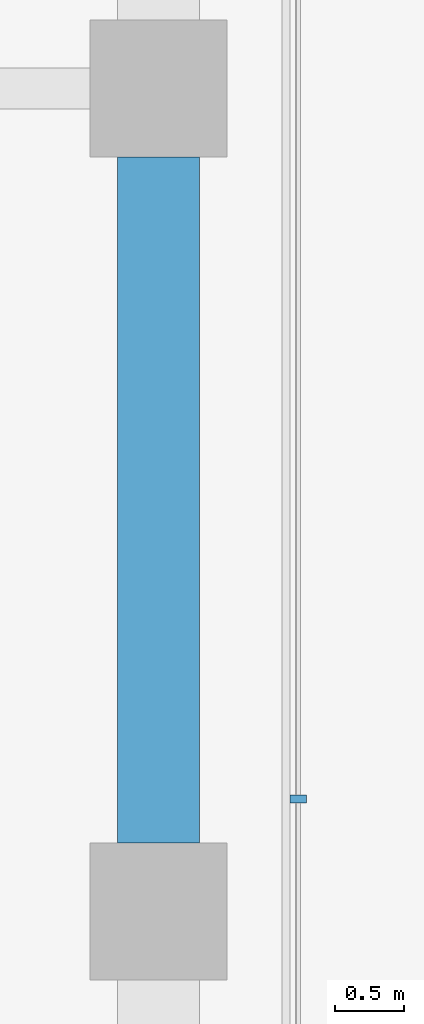
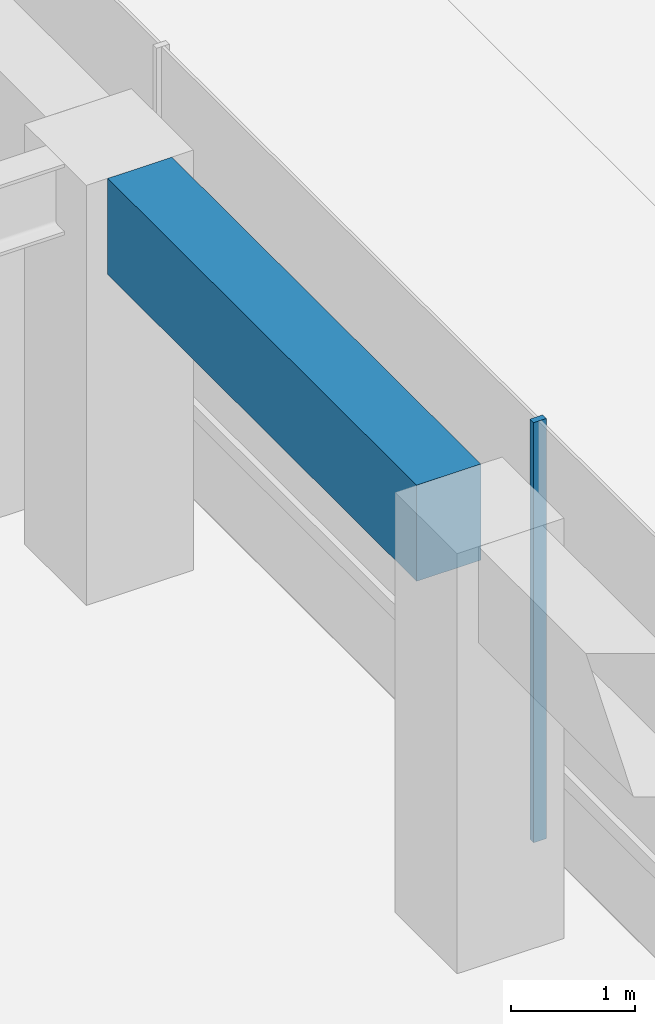
# One storey, part 18 of 31: 1 beam, 1 member, 1 element without a shape of its own.
"""IFC4 building model written with IfcOpenShell, lengths in metres."""

from ifc_helpers import new_model, si_unit, direction, frame, origin, origin_2d, place, context, subcontext, project, spatial, rectangle, extrude, material, layer, layer_set, material_profile, profile_set, type_object, element, aggregate, save


model = new_model("IFC4")

# Units and contexts
model_context = context("Model", 3, precision=1e-05, world=origin(), true_north=direction((0.0, 1.0)))
body_context = subcontext(model_context, "Body", "Model", "MODEL_VIEW")
ifc_project = project(units=[si_unit("LENGTHUNIT", "METRE"), si_unit("AREAUNIT", "SQUARE_METRE"), si_unit("VOLUMEUNIT", "CUBIC_METRE"), si_unit("PLANEANGLEUNIT", "RADIAN"), si_unit("MASSUNIT", "GRAM", prefix="KILO")], contexts=[model_context])

# Site, building, storey
site_placement = place(None, origin())
site = spatial("IfcSite", under=ifc_project, at=site_placement, CompositionType="ELEMENT")
building_placement = place(site_placement, origin())
building = spatial("IfcBuilding", under=site, at=building_placement, Name="Welwitschia Terrace Campus", CompositionType="ELEMENT")
storey_placement = place(building_placement, frame((0.0, 0.0, 11.0)))
storey = spatial("IfcBuildingStorey", under=building, at=storey_placement, Name="L02", CompositionType="ELEMENT", Elevation=11.0)

# Curtain wall, member
ifc_material_1 = material(Name="Bronze anodised aluminium", Category="aluminium")
ifc_layer = layer(ifc_material_1, 0.1201171875)
ifc_layer_set = layer_set([ifc_layer], Name="Bronze anodised aluminium")
curtain_wall_type = type_object("IfcCurtainWallType", Name="Curtain wall CW2 tower 6000", PredefinedType="NOTDEFINED", material=ifc_layer_set)
curtain_wall_placement = place(storey_placement, origin())
curtain_wall = element("IfcCurtainWall", 1, at=curtain_wall_placement, inside=storey, type_object=curtain_wall_type, Name="CW L02.7.0", PredefinedType="NOTDEFINED")
ifc_material_2 = material(Name="Bronze anodised aluminium", Category="aluminium")
ifc_material_profile_1 = material_profile(ifc_material_2, rectangle(XDim=0.1201171875, YDim=0.06005859375, at=origin_2d()))
ifc_profile_set_1 = profile_set([ifc_material_profile_1], Name="Bronze anodised aluminium")
member_type = type_object("IfcMemberType", Name="Mullion 60x120", PredefinedType="MULLION", material=ifc_profile_set_1)
member_placement = place(storey_placement, frame((25.02001953125, 50.82080078125, 0.0), z_axis=(0.0, 0.0, 1.0), x_axis=(-1.0, 0.0, 0.0)))
member = element("IfcMember", 2, at=member_placement, type_object=member_type, Name="Mullion L02.7.0.4", PredefinedType="MULLION", context=body_context, shape_type="SweptSolid", body=[
    extrude(rectangle(XDim=0.1201171875, YDim=0.06005859375, at=origin_2d()), origin(), (0.0, 0.0, 1.0), 4.14990234375),
])
aggregate(curtain_wall, [member])

# Beam
ifc_material_3 = material(Name="Concrete C60/75", Category="concrete")
ifc_material_profile_2 = material_profile(ifc_material_3, rectangle(XDim=0.60009765625, YDim=0.949951171875, at=origin_2d()))
ifc_profile_set_2 = profile_set([ifc_material_profile_2], Name="Concrete C60/75")
beam_type = type_object("IfcBeamType", Name="Ring spandrel 600x950", PredefinedType="SPANDREL", material=ifc_profile_set_2)
beam_placement = place(storey_placement, frame((24.0, 50.50048828125, 3.675048828125), z_axis=(0.0, 1.0, 0.0), x_axis=(-1.0, 0.0, 0.0)))
element("IfcBeam", 3, at=beam_placement, inside=storey, type_object=beam_type, Name="Spandrel SP1", PredefinedType="SPANDREL", context=body_context, shape_type="SweptSolid", body=[
    extrude(rectangle(XDim=0.60009765625, YDim=0.949951171875, at=origin_2d()), origin(), (0.0, 0.0, 1.0), 4.9990234375),
])

save(model, "model.ifc")
